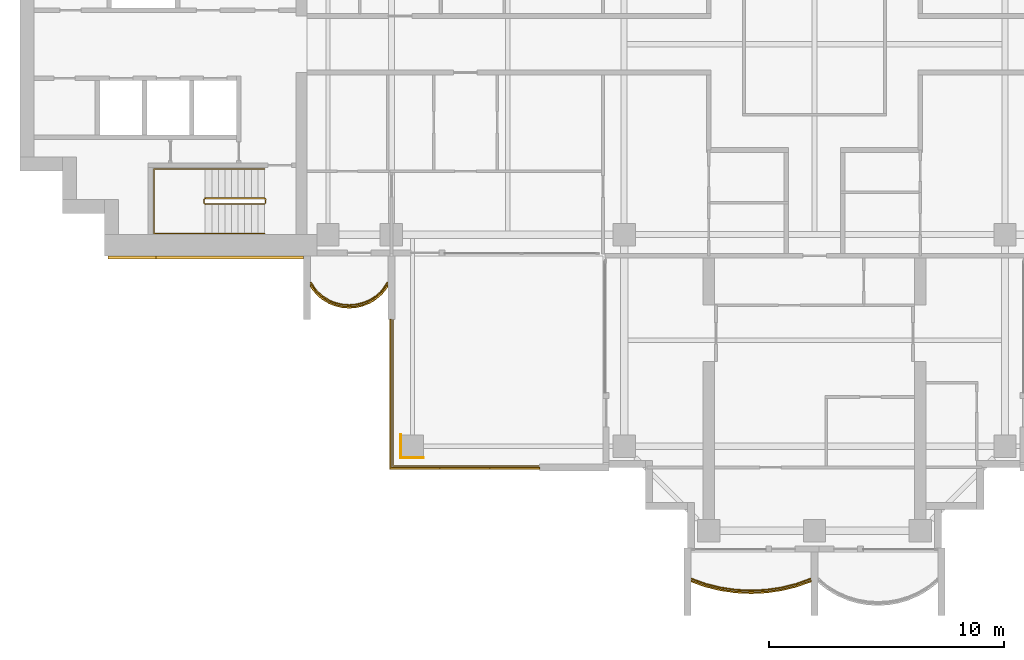
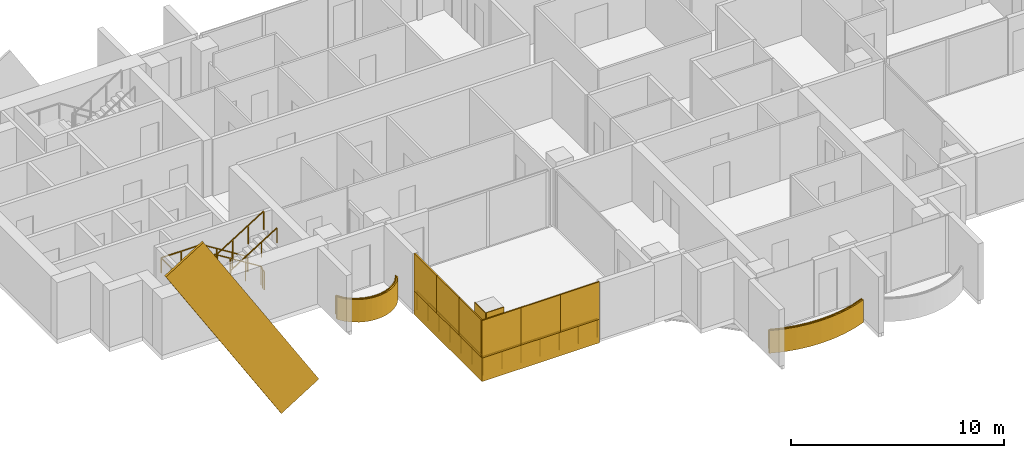
# One storey, part 17 of 20: 12 coverings, 5 railings.
"""IFC4 building model written with IfcOpenShell, lengths in metres."""

import ifcopenshell
import ifcopenshell.guid

model = None  # the IFC model being written
_history = None  # IfcOwnerHistory: only IFC2X3 demands one
_inside = {}  # id of a spatial element -> (the spatial element, [elements in it])
_under = {}  # id of a project, library or spatial element -> (it, [spatial elements below it])
_declared = {}  # id of a project -> (the project, [libraries it declares])
_typed = {}  # id of a type object -> (the type object, [elements of that type])
_made_of = {}  # id of a material, layer set ... -> (it, [elements and type objects made of it])


def new_model(schema):
    """Start an empty IFC model of exactly this schema.

    Asked for "IFC4X3", IfcOpenShell would pick the latest addendum, in which some entities
    have other attributes; the version numbers below select the first issue.
    IFC2X3 requires an IfcOwnerHistory on every rooted entity: one is made here for all.
    """
    global model, _history
    if schema == "IFC4X3":
        model = ifcopenshell.file(schema_version=(4, 3, 0, 0))
    else:
        model = ifcopenshell.file(schema=schema)
    _inside.clear()
    _under.clear()
    _declared.clear()
    _typed.clear()
    _made_of.clear()
    _history = None
    if model.schema == "IFC2X3":
        org = make("IfcOrganization", Name="unknown")
        user = make(
            "IfcPersonAndOrganization",
            ThePerson=make("IfcPerson", FamilyName="unknown"),
            TheOrganization=org,
        )
        app = make(
            "IfcApplication",
            ApplicationDeveloper=org,
            Version="unknown",
            ApplicationFullName="unknown",
            ApplicationIdentifier="unknown",
        )
        _history = make(
            "IfcOwnerHistory",
            OwningUser=user,
            OwningApplication=app,
            ChangeAction="ADDED",
            CreationDate=0,
        )
    return model


def make(cls, **values):
    """One entity of the class cls with the attributes given. An attribute that is None is left unset."""
    return model.create_entity(
        cls, **{name: value for name, value in values.items() if value is not None}
    )


def rooted(cls, **values):
    """An entity with a GlobalId (a new one), such as an element, a storey or a relation."""
    return make(cls, GlobalId=ifcopenshell.guid.new(), OwnerHistory=_history, **values)


def si_unit(unit_type, name, prefix=None):
    """IfcSIUnit, for example si_unit("LENGTHUNIT", "METRE", prefix="MILLI")."""
    return make("IfcSIUnit", UnitType=unit_type, Prefix=prefix, Name=name)


def assignment(units):
    """IfcUnitAssignment: the units of a project."""
    return None if units is None else make("IfcUnitAssignment", Units=units)


def point(xyz):
    """IfcCartesianPoint."""
    return None if xyz is None else make("IfcCartesianPoint", Coordinates=xyz)


def direction(xyz):
    """IfcDirection."""
    return None if xyz is None else make("IfcDirection", DirectionRatios=xyz)


def frame(location, z_axis=None, x_axis=None):
    """IfcAxis2Placement3D, a coordinate frame: its origin and axes. An axis left out is left unset."""
    return make(
        "IfcAxis2Placement3D",
        Location=point(location),
        Axis=direction(z_axis),
        RefDirection=direction(x_axis),
    )


def frame_2d(location, x_axis=None):
    """IfcAxis2Placement2D, a coordinate frame in the plane: its origin and x axis."""
    return make(
        "IfcAxis2Placement2D", Location=point(location), RefDirection=direction(x_axis)
    )


def origin():
    """The frame at (0, 0, 0) with its axes left unset."""
    return frame((0.0, 0.0, 0.0))


def origin_2d():
    """The frame at (0, 0) in the plane with its x axis left unset."""
    return frame_2d((0.0, 0.0))


def place(relative_to, where):
    """IfcLocalPlacement: puts the frame where relative to a parent placement (None: the world)."""
    return make(
        "IfcLocalPlacement", PlacementRelTo=relative_to, RelativePlacement=where
    )


def context(
    kind, dimensions, precision=None, world=None, true_north=None, identifier=None
):
    """IfcGeometricRepresentationContext, for example the 3D "Model" context."""
    return make(
        "IfcGeometricRepresentationContext",
        ContextIdentifier=identifier,
        ContextType=kind,
        CoordinateSpaceDimension=dimensions,
        Precision=precision,
        WorldCoordinateSystem=world,
        TrueNorth=true_north,
    )


def subcontext(parent, identifier, kind, view, scale=None):
    """IfcGeometricRepresentationSubContext, for example "Body" below "Model"."""
    return make(
        "IfcGeometricRepresentationSubContext",
        ContextIdentifier=identifier,
        ContextType=kind,
        ParentContext=parent,
        TargetScale=scale,
        TargetView=view,
    )


def project(units=None, contexts=None):
    """IfcProject with its units and contexts."""
    return rooted(
        "IfcProject",
        Name="project",
        RepresentationContexts=contexts,
        UnitsInContext=assignment(units),
    )


def spatial(cls, under=None, at=None, **own):
    """A site, building, storey or space (cls), placed at a placement, below another one or the project."""
    s = rooted(cls, ObjectPlacement=at, **own)
    if under is not None:
        _under.setdefault(under.id(), (under, []))[1].append(s)
    return s


def polyline(points):
    """IfcPolyline through the points."""
    return make("IfcPolyline", Points=[point(p) for p in points])


def profile(cls, at=None, kind="AREA", **sizes):
    """A parametric profile (cls). Its sizes go by their IFC names, for example OverallWidth=200.0."""
    return make(cls, ProfileType=kind, Position=at, **sizes)


def rectangle(**sizes):
    """IfcRectangleProfileDef."""
    return profile("IfcRectangleProfileDef", **sizes)


def outline(outer, holes=None, kind="AREA"):
    """IfcArbitraryClosedProfileDef: a profile drawn as a closed curve; with holes, ...WithVoids."""
    if holes is None:
        return make("IfcArbitraryClosedProfileDef", ProfileType=kind, OuterCurve=outer)
    return make(
        "IfcArbitraryProfileDefWithVoids",
        ProfileType=kind,
        OuterCurve=outer,
        InnerCurves=holes,
    )


def extrude(swept, where, along, depth):
    """IfcExtrudedAreaSolid: the profile swept, set in the frame where, extruded along a direction by depth."""
    return make(
        "IfcExtrudedAreaSolid",
        SweptArea=swept,
        Position=where,
        ExtrudedDirection=direction(along),
        Depth=depth,
    )


def shape(context_of_items, identifier, shape_type, items):
    """IfcShapeRepresentation: the items that make up one representation, for example the "Body"."""
    return make(
        "IfcShapeRepresentation",
        ContextOfItems=context_of_items,
        RepresentationIdentifier=identifier,
        RepresentationType=shape_type,
        Items=items,
    )


def material(Name=None, Category=None):
    """IfcMaterial."""
    return make("IfcMaterial", Name=Name, Category=Category)


def layer(
    of_material, thickness, ventilated=None, Name=None, Category=None, Priority=None
):
    """IfcMaterialLayer: one layer of a wall or slab, of a material (None: an air gap)."""
    return make(
        "IfcMaterialLayer",
        Material=of_material,
        LayerThickness=thickness,
        IsVentilated=ventilated,
        Name=Name,
        Category=Category,
        Priority=Priority,
    )


def layer_set(layers, Name=None):
    """IfcMaterialLayerSet."""
    return make("IfcMaterialLayerSet", MaterialLayers=layers, LayerSetName=Name)


def material_profile(
    of_material, cross_section, Name=None, Category=None, Priority=None
):
    """IfcMaterialProfile: a cross section and its material."""
    return make(
        "IfcMaterialProfile",
        Name=Name,
        Material=of_material,
        Profile=cross_section,
        Priority=Priority,
        Category=Category,
    )


def profile_set(profiles, Name=None, composite=None):
    """IfcMaterialProfileSet."""
    return make(
        "IfcMaterialProfileSet",
        Name=Name,
        MaterialProfiles=profiles,
        CompositeProfile=composite,
    )


def made_of(thing, what):
    """Note that an element or type object is made of a material, layer set ...; save() writes the relation."""
    if what is not None:
        _made_of.setdefault(what.id(), (what, []))[1].append(thing)
    return thing


def type_object(cls, material=None, **own):
    """A type object (cls), such as IfcWallType, which elements share."""
    return made_of(rooted(cls, **own), material)


def element(
    cls,
    number,
    at=None,
    inside=None,
    cuts=None,
    type_object=None,
    material=None,
    context=None,
    identifier="Body",
    shape_type=None,
    held_by="IfcProductDefinitionShape",
    body=None,
    shapes=None,
    **own,
):
    """One element of the class cls, such as IfcWall. Its Tag is "e" and its number.

    at: its placement. inside: the storey or other place that contains it. cuts: it is an
    opening in that element (IfcRelVoidsElement). A single representation is given by context,
    identifier, shape_type and body (its items); several are given by shapes. held_by: the class
    of the entity that holds the representations. save() writes the other relations.
    """
    e = rooted(cls, Tag="e%d" % number, ObjectPlacement=at, **own)
    if body is not None:
        shapes = [shape(context, identifier, shape_type, body)]
    if shapes is not None:
        e.Representation = make(held_by, Representations=shapes)
    if inside is not None:
        _inside.setdefault(inside.id(), (inside, []))[1].append(e)
    if cuts is not None:
        rooted(
            "IfcRelVoidsElement", RelatingBuildingElement=cuts, RelatedOpeningElement=e
        )
    if type_object is not None:
        _typed.setdefault(type_object.id(), (type_object, []))[1].append(e)
    return made_of(e, material)


def aggregate(whole, parts):
    """IfcRelAggregates: a whole, such as a stair, and the parts it consists of."""
    return rooted("IfcRelAggregates", RelatingObject=whole, RelatedObjects=parts)


def save(model, path):
    """Write the relations noted so far, then the file.

    IfcRelAggregates (storeys below a building ...), IfcRelContainedInSpatialStructure (elements
    in a storey), IfcRelDefinesByType, IfcRelAssociatesMaterial and IfcRelDeclares: one each for
    every whole, place, type object, material and project.
    """
    for whole, parts in _under.values():
        aggregate(whole, parts)
    for where, things in _inside.values():
        rooted(
            "IfcRelContainedInSpatialStructure",
            RelatedElements=things,
            RelatingStructure=where,
        )
    for kind, things in _typed.values():
        rooted("IfcRelDefinesByType", RelatedObjects=things, RelatingType=kind)
    for what, things in _made_of.values():
        rooted("IfcRelAssociatesMaterial", RelatedObjects=things, RelatingMaterial=what)
    for by, libraries in _declared.values():
        rooted("IfcRelDeclares", RelatingContext=by, RelatedDefinitions=libraries)
    model.write(path)


model = new_model("IFC4")

# Units and contexts
model_context = context("Model", 3, precision=1e-05, world=origin(), true_north=direction((0.0, 1.0)))
body_context = subcontext(model_context, "Body", "Model", "MODEL_VIEW")
ifc_project = project(units=[si_unit("LENGTHUNIT", "METRE"), si_unit("AREAUNIT", "SQUARE_METRE"), si_unit("VOLUMEUNIT", "CUBIC_METRE"), si_unit("PLANEANGLEUNIT", "RADIAN"), si_unit("MASSUNIT", "GRAM", prefix="KILO")], contexts=[model_context])

# Site, building, storey
site_placement = place(None, origin())
site = spatial("IfcSite", under=ifc_project, at=site_placement, CompositionType="ELEMENT")
building_placement = place(site_placement, origin())
building = spatial("IfcBuilding", under=site, at=building_placement, Name="Perihelion Cross Residences", CompositionType="ELEMENT")
storey_placement = place(building_placement, frame((0.0, 0.0, 170.10009765625)))
storey = spatial("IfcBuildingStorey", under=building, at=storey_placement, Name="L41", CompositionType="ELEMENT", Elevation=170.10009765625)

# Coverings
ifc_material_1 = material(Name="Bronze anodised aluminium", Category="aluminium")
ifc_layer_1 = layer(ifc_material_1, 0.070068359375)
ifc_layer_set_1 = layer_set([ifc_layer_1], Name="Balcony fascia 1300")
covering_type_1 = type_object("IfcCoveringType", Name="Balcony fascia 1300", PredefinedType="CLADDING", material=ifc_layer_set_1)
covering_1_placement = place(storey_placement, frame((0.0, 0.0, -0.2001953125)))
element("IfcCovering", 1, at=covering_1_placement, inside=storey, type_object=covering_type_1, Name="Fascia BF1 L41 west side south bay 1", PredefinedType="CLADDING", context=body_context, shape_type="SweptSolid", body=[
    extrude(outline(polyline([(-21.226318359375, -10.616455078125), (-20.94091796875, -10.86328125), (-20.655517578125, -11.031494140625), (-20.370361328125, -11.142578125), (-20.085205078125, -11.206298828125), (-19.800048828125, -11.22705078125), (-19.514892578125, -11.206298828125), (-19.229736328125, -11.142578125), (-18.9443359375, -11.031494140625), (-18.6591796875, -10.86328125), (-18.373779296875, -10.616455078125), (-18.14990234375, -10.31689453125), (-18.14990234375, -10.199951171875), (-18.425048828125, -10.568603515625), (-18.699951171875, -10.806396484375), (-18.97509765625, -10.96875), (-19.25, -11.07568359375), (-19.52490234375, -11.136962890625), (-19.800048828125, -11.156982421875), (-20.074951171875, -11.136962890625), (-20.35009765625, -11.07568359375), (-20.625, -10.96875), (-20.89990234375, -10.806396484375), (-21.175048828125, -10.568603515625), (-21.449951171875, -10.199951171875), (-21.449951171875, -10.31689453125), (-21.226318359375, -10.616455078125)])), origin(), (0.0, 0.0, 1.0), 1.300048828125),
])
covering_2_placement = place(storey_placement, frame((0.0, 0.0, -0.2001953125)))
element("IfcCovering", 2, at=covering_2_placement, inside=storey, type_object=covering_type_1, Name="Fascia BF1 L41 south tip south bay 1", PredefinedType="CLADDING", context=body_context, shape_type="SweptSolid", body=[
    extrude(outline(polyline([(-4.63232421875, -23.090576171875), (-3.98828125, -23.247314453125), (-3.34423828125, -23.339599609375), (-2.699951171875, -23.3701171875), (-2.055908203125, -23.339599609375), (-1.411865234375, -23.247314453125), (-0.767578125, -23.090576171875), (-0.14990234375, -22.874267578125), (-0.14990234375, -22.800048828125), (-0.78759765625, -23.0234375), (-1.425048828125, -23.178466796875), (-2.0625, -23.269775390625), (-2.699951171875, -23.300048828125), (-3.33740234375, -23.269775390625), (-3.97509765625, -23.178466796875), (-4.612548828125, -23.0234375), (-5.25, -22.800048828125), (-5.25, -22.874267578125), (-4.63232421875, -23.090576171875)])), origin(), (0.0, 0.0, 1.0), 1.300048828125),
])

# Railings
ifc_material_2 = material(Name="Bronze anodised aluminium", Category="aluminium")
railing_type_1 = type_object("IfcRailingType", Name="Balcony guard 1100", PredefinedType="GUARDRAIL", material=ifc_material_2)
railing_1_placement = place(storey_placement, frame((-21.425048828125, -10.139892578125, 0.0)))
element("IfcRailing", 3, at=railing_1_placement, inside=storey, type_object=railing_type_1, Name="Guard GU1 L41 west side south bay 1 balcony", PredefinedType="GUARDRAIL", context=body_context, shape_type="SweptSolid", body=[
    extrude(rectangle(XDim=0.048095703125, YDim=0.048095703125, at=origin_2d()), frame((0.0, 0.0, 1.076171875), z_axis=(0.561260132269, -0.827639452857, 0.0), x_axis=(0.827639452857, 0.561260132269, 0.0)), (0.0, 0.0, 1.0), 0.4453125),
    extrude(rectangle(XDim=0.048095703125, YDim=0.048095703125, at=origin_2d()), frame((0.25, -0.36865234375, 1.076171875), z_axis=(0.756596535164, -0.653882009982, 0.0), x_axis=(0.653882009982, 0.756596535164, 0.0)), (0.0, 0.0, 1.0), 0.36376953125),
    extrude(rectangle(XDim=0.048095703125, YDim=0.048095703125, at=origin_2d()), frame((0.525146484375, -0.6064453125, 1.076171875), z_axis=(0.861048292884, -0.508523192511, 0.0), x_axis=(0.508523192511, 0.861048292884, 0.0)), (0.0, 0.0, 1.0), 0.3193359375),
    extrude(rectangle(XDim=0.048095703125, YDim=0.048095703125, at=origin_2d()), frame((0.800048828125, -0.768798828125, 1.076171875), z_axis=(0.931973602183, -0.362526143656, 0.0), x_axis=(0.362526143656, 0.931973602183, 0.0)), (0.0, 0.0, 1.0), 0.294921875),
    extrude(rectangle(XDim=0.048095703125, YDim=0.048095703125, at=origin_2d()), frame((1.074951171875, -0.875732421875, 1.076171875), z_axis=(0.976085059389, -0.21738895289, 0.0), x_axis=(0.21738895289, 0.976085059389, 0.0)), (0.0, 0.0, 1.0), 0.281982421875),
    extrude(rectangle(XDim=0.048095703125, YDim=0.048095703125, at=origin_2d()), frame((1.35009765625, -0.93701171875, 1.076171875), z_axis=(0.997358821833, -0.072631814734, 0.0), x_axis=(0.072631814734, 0.997358821833, 0.0)), (0.0, 0.0, 1.0), 0.275634765625),
    extrude(rectangle(XDim=0.048095703125, YDim=0.048095703125, at=origin_2d()), frame((1.625, -0.95703125, 1.076171875), z_axis=(0.997363488337, 0.072567707226, 0.0), x_axis=(-0.072567707226, 0.997363488337, 0.0)), (0.0, 0.0, 1.0), 0.27587890625),
    extrude(rectangle(XDim=0.048095703125, YDim=0.048095703125, at=origin_2d()), frame((1.900146484375, -0.93701171875, 1.076171875), z_axis=(0.976044077717, 0.217572880557, 0.0), x_axis=(-0.217572880557, 0.976044077717, 0.0)), (0.0, 0.0, 1.0), 0.28173828125),
    extrude(rectangle(XDim=0.048095703125, YDim=0.048095703125, at=origin_2d()), frame((2.175048828125, -0.875732421875, 1.076171875), z_axis=(0.931973602183, 0.362526143656, 0.0), x_axis=(-0.362526143656, 0.931973602183, 0.0)), (0.0, 0.0, 1.0), 0.294921875),
    extrude(rectangle(XDim=0.048095703125, YDim=0.048095703125, at=origin_2d()), frame((2.449951171875, -0.768798828125, 1.076171875), z_axis=(0.861245845072, 0.508188542123, 0.0), x_axis=(-0.508188542123, 0.861245845072, 0.0)), (0.0, 0.0, 1.0), 0.319580078125),
    extrude(rectangle(XDim=0.048095703125, YDim=0.048095703125, at=origin_2d()), frame((2.72509765625, -0.6064453125, 1.076171875), z_axis=(0.756309278473, 0.654214242658, 0.0), x_axis=(-0.654214242658, 0.756309278473, 0.0)), (0.0, 0.0, 1.0), 0.363525390625),
    extrude(rectangle(XDim=0.048095703125, YDim=0.048095703125, at=origin_2d()), frame((3.0, -0.36865234375, 1.076171875), z_axis=(0.561260132269, 0.827639452857, 0.0), x_axis=(-0.827639452857, 0.561260132269, 0.0)), (0.0, 0.0, 1.0), 0.4453125),
    extrude(rectangle(XDim=0.0419921875, YDim=0.0419921875, at=origin_2d()), origin(), (0.0, 0.0, 1.0), 1.052001953125),
    extrude(rectangle(XDim=0.0419921875, YDim=0.0419921875, at=origin_2d()), frame((0.25, -0.36865234375, 0.0)), (0.0, 0.0, 1.0), 1.052001953125),
    extrude(rectangle(XDim=0.0419921875, YDim=0.0419921875, at=origin_2d()), frame((0.525146484375, -0.6064453125, 0.0)), (0.0, 0.0, 1.0), 1.052001953125),
    extrude(rectangle(XDim=0.0419921875, YDim=0.0419921875, at=origin_2d()), frame((0.800048828125, -0.768798828125, 0.0)), (0.0, 0.0, 1.0), 1.052001953125),
    extrude(rectangle(XDim=0.0419921875, YDim=0.0419921875, at=origin_2d()), frame((1.074951171875, -0.875732421875, 0.0)), (0.0, 0.0, 1.0), 1.052001953125),
    extrude(rectangle(XDim=0.0419921875, YDim=0.0419921875, at=origin_2d()), frame((1.35009765625, -0.93701171875, 0.0)), (0.0, 0.0, 1.0), 1.052001953125),
    extrude(rectangle(XDim=0.0419921875, YDim=0.0419921875, at=origin_2d()), frame((1.625, -0.95703125, 0.0)), (0.0, 0.0, 1.0), 1.052001953125),
    extrude(rectangle(XDim=0.0419921875, YDim=0.0419921875, at=origin_2d()), frame((1.900146484375, -0.93701171875, 0.0)), (0.0, 0.0, 1.0), 1.052001953125),
    extrude(rectangle(XDim=0.0419921875, YDim=0.0419921875, at=origin_2d()), frame((2.175048828125, -0.875732421875, 0.0)), (0.0, 0.0, 1.0), 1.052001953125),
    extrude(rectangle(XDim=0.0419921875, YDim=0.0419921875, at=origin_2d()), frame((2.449951171875, -0.768798828125, 0.0)), (0.0, 0.0, 1.0), 1.052001953125),
    extrude(rectangle(XDim=0.0419921875, YDim=0.0419921875, at=origin_2d()), frame((2.72509765625, -0.6064453125, 0.0)), (0.0, 0.0, 1.0), 1.052001953125),
    extrude(rectangle(XDim=0.0419921875, YDim=0.0419921875, at=origin_2d()), frame((3.0, -0.36865234375, 0.0)), (0.0, 0.0, 1.0), 1.052001953125),
    extrude(rectangle(XDim=0.0419921875, YDim=0.0419921875, at=origin_2d()), frame((3.25, 0.0, 0.0)), (0.0, 0.0, 1.0), 1.052001953125),
])
railing_2_placement = place(storey_placement, frame((-5.22509765625, -22.739990234375, 0.0)))
element("IfcRailing", 4, at=railing_2_placement, inside=storey, type_object=railing_type_1, Name="Guard GU1 L41 south tip south bay 1 balcony", PredefinedType="GUARDRAIL", context=body_context, shape_type="SweptSolid", body=[
    extrude(rectangle(XDim=0.048095703125, YDim=0.048095703125, at=origin_2d()), frame((0.0, 0.0, 1.076171875), z_axis=(0.939355405384, -0.342945217749, 0.0), x_axis=(0.342945217749, 0.939355405384, 0.0)), (0.0, 0.0, 1.0), 0.652099609375),
    extrude(rectangle(XDim=0.048095703125, YDim=0.048095703125, at=origin_2d()), frame((0.612548828125, -0.2236328125, 1.076171875), z_axis=(0.971676841941, -0.236313594268, 0.0), x_axis=(0.236313594268, 0.971676841941, 0.0)), (0.0, 0.0, 1.0), 0.656005859375),
    extrude(rectangle(XDim=0.048095703125, YDim=0.048095703125, at=origin_2d()), frame((1.25, -0.378662109375, 1.076171875), z_axis=(0.989903964498, -0.141739694763, 0.0), x_axis=(0.141739694763, 0.989903964498, 0.0)), (0.0, 0.0, 1.0), 0.644287109375),
    extrude(rectangle(XDim=0.048095703125, YDim=0.048095703125, at=origin_2d()), frame((1.8876953125, -0.469970703125, 1.076171875), z_axis=(0.998892243319, -0.04705620296, 0.0), x_axis=(0.04705620296, 0.998892243319, 0.0)), (0.0, 0.0, 1.0), 0.63818359375),
    extrude(rectangle(XDim=0.048095703125, YDim=0.048095703125, at=origin_2d()), frame((2.525146484375, -0.5, 1.076171875), z_axis=(0.998892243319, 0.04705620296, 0.0), x_axis=(-0.04705620296, 0.998892243319, 0.0)), (0.0, 0.0, 1.0), 0.63818359375),
    extrude(rectangle(XDim=0.048095703125, YDim=0.048095703125, at=origin_2d()), frame((3.16259765625, -0.469970703125, 1.076171875), z_axis=(0.989896346386, 0.141792889142, 0.0), x_axis=(-0.141792889142, 0.989896346386, 0.0)), (0.0, 0.0, 1.0), 0.64404296875),
    extrude(rectangle(XDim=0.048095703125, YDim=0.048095703125, at=origin_2d()), frame((3.800048828125, -0.378662109375, 1.076171875), z_axis=(0.971676841941, 0.236313594268, 0.0), x_axis=(-0.236313594268, 0.971676841941, 0.0)), (0.0, 0.0, 1.0), 0.656005859375),
    extrude(rectangle(XDim=0.048095703125, YDim=0.048095703125, at=origin_2d()), frame((4.4375, -0.2236328125, 1.076171875), z_axis=(0.939355405384, 0.342945217749, 0.0), x_axis=(-0.342945217749, 0.939355405384, 0.0)), (0.0, 0.0, 1.0), 0.652099609375),
    extrude(rectangle(XDim=0.0419921875, YDim=0.0419921875, at=origin_2d()), origin(), (0.0, 0.0, 1.0), 1.052001953125),
    extrude(rectangle(XDim=0.0419921875, YDim=0.0419921875, at=origin_2d()), frame((0.612548828125, -0.2236328125, 0.0)), (0.0, 0.0, 1.0), 1.052001953125),
    extrude(rectangle(XDim=0.0419921875, YDim=0.0419921875, at=origin_2d()), frame((1.25, -0.378662109375, 0.0)), (0.0, 0.0, 1.0), 1.052001953125),
    extrude(rectangle(XDim=0.0419921875, YDim=0.0419921875, at=origin_2d()), frame((1.8876953125, -0.469970703125, 0.0)), (0.0, 0.0, 1.0), 1.052001953125),
    extrude(rectangle(XDim=0.0419921875, YDim=0.0419921875, at=origin_2d()), frame((2.525146484375, -0.5, 0.0)), (0.0, 0.0, 1.0), 1.052001953125),
    extrude(rectangle(XDim=0.0419921875, YDim=0.0419921875, at=origin_2d()), frame((3.16259765625, -0.469970703125, 0.0)), (0.0, 0.0, 1.0), 1.052001953125),
    extrude(rectangle(XDim=0.0419921875, YDim=0.0419921875, at=origin_2d()), frame((3.800048828125, -0.378662109375, 0.0)), (0.0, 0.0, 1.0), 1.052001953125),
    extrude(rectangle(XDim=0.0419921875, YDim=0.0419921875, at=origin_2d()), frame((4.4375, -0.2236328125, 0.0)), (0.0, 0.0, 1.0), 1.052001953125),
    extrude(rectangle(XDim=0.0419921875, YDim=0.0419921875, at=origin_2d()), frame((5.050048828125, 0.0, 0.0)), (0.0, 0.0, 1.0), 1.052001953125),
])
railing_3_placement = place(storey_placement, frame((-11.739990234375, -17.93994140625, 0.0)))
element("IfcRailing", 5, at=railing_3_placement, inside=storey, type_object=railing_type_1, Name="Guard GU1 L41 pocket south-west 1", PredefinedType="GUARDRAIL", context=body_context, shape_type="SweptSolid", body=[
    extrude(rectangle(XDim=0.048095703125, YDim=0.048095703125, at=origin_2d()), frame((0.0, 0.0, 1.076171875), z_axis=(-1.0, 0.0, 0.0), x_axis=(0.0, -1.0, 0.0)), (0.0, 0.0, 1.0), 6.199951171875),
    extrude(rectangle(XDim=0.048095703125, YDim=0.048095703125, at=origin_2d()), frame((-6.199951171875, 0.0, 1.076171875), z_axis=(0.0, 1.0, 0.0), x_axis=(-1.0, 0.0, 0.0)), (0.0, 0.0, 1.0), 6.199951171875),
    extrude(rectangle(XDim=0.0419921875, YDim=0.0419921875, at=origin_2d()), origin(), (0.0, 0.0, 1.0), 1.052001953125),
    extrude(rectangle(XDim=0.0419921875, YDim=0.0419921875, at=origin_2d()), frame((-1.033203125, 0.0, 0.0)), (0.0, 0.0, 1.0), 1.052001953125),
    extrude(rectangle(XDim=0.0419921875, YDim=0.0419921875, at=origin_2d()), frame((-2.066650390625, 0.0, 0.0)), (0.0, 0.0, 1.0), 1.052001953125),
    extrude(rectangle(XDim=0.0419921875, YDim=0.0419921875, at=origin_2d()), frame((-3.10009765625, 0.0, 0.0)), (0.0, 0.0, 1.0), 1.052001953125),
    extrude(rectangle(XDim=0.0419921875, YDim=0.0419921875, at=origin_2d()), frame((-4.13330078125, 0.0, 0.0)), (0.0, 0.0, 1.0), 1.052001953125),
    extrude(rectangle(XDim=0.0419921875, YDim=0.0419921875, at=origin_2d()), frame((-5.16650390625, 0.0, 0.0)), (0.0, 0.0, 1.0), 1.052001953125),
    extrude(rectangle(XDim=0.0419921875, YDim=0.0419921875, at=origin_2d()), frame((-6.199951171875, 0.0, 0.0)), (0.0, 0.0, 1.0), 1.052001953125),
    extrude(rectangle(XDim=0.0419921875, YDim=0.0419921875, at=origin_2d()), frame((-6.199951171875, 1.033203125, 0.0)), (0.0, 0.0, 1.0), 1.052001953125),
    extrude(rectangle(XDim=0.0419921875, YDim=0.0419921875, at=origin_2d()), frame((-6.199951171875, 2.066650390625, 0.0)), (0.0, 0.0, 1.0), 1.052001953125),
    extrude(rectangle(XDim=0.0419921875, YDim=0.0419921875, at=origin_2d()), frame((-6.199951171875, 3.10009765625, 0.0)), (0.0, 0.0, 1.0), 1.052001953125),
    extrude(rectangle(XDim=0.0419921875, YDim=0.0419921875, at=origin_2d()), frame((-6.199951171875, 4.13330078125, 0.0)), (0.0, 0.0, 1.0), 1.052001953125),
    extrude(rectangle(XDim=0.0419921875, YDim=0.0419921875, at=origin_2d()), frame((-6.199951171875, 5.16650390625, 0.0)), (0.0, 0.0, 1.0), 1.052001953125),
    extrude(rectangle(XDim=0.0419921875, YDim=0.0419921875, at=origin_2d()), frame((-6.199951171875, 6.199951171875, 0.0)), (0.0, 0.0, 1.0), 1.052001953125),
])

# Coverings
ifc_material_3 = material(Name="Bronze anodised aluminium", Category="aluminium")
ifc_material_profile = material_profile(ifc_material_3, rectangle(XDim=0.125, YDim=2.39990234375, at=origin_2d()), Name="Bronze cladding band 2400")
ifc_profile_set = profile_set([ifc_material_profile], Name="Bronze anodised aluminium")
covering_type_2 = type_object("IfcCoveringType", Name="Bronze cladding band 2400", PredefinedType="CLADDING", material=ifc_profile_set)
covering_3_placement = place(storey_placement, frame((-22.767578125, -9.0625, -4.863525390625), z_axis=(-0.529915403603, 0.0, 0.848050508534), x_axis=(0.0, -1.0, 0.0)))
element("IfcCovering", 6, at=covering_3_placement, inside=storey, type_object=covering_type_2, Name="Core cladding band, west core", PredefinedType="CLADDING", context=body_context, shape_type="SweptSolid", body=[
    extrude(rectangle(XDim=0.125, YDim=2.39990234375, at=origin_2d()), origin(), (0.0, 0.0, 1.0), 11.822021484375),
])
ifc_material_4 = material(Name="Bronze anodised aluminium", Category="aluminium")
ifc_layer_2 = layer(ifc_material_4, 0.0400390625)
ifc_layer_set_2 = layer_set([ifc_layer_2], Name="Bronze column casing 40")
covering_type_3 = type_object("IfcCoveringType", Name="Bronze column casing 40", PredefinedType="CLADDING", material=ifc_layer_set_2)
covering_4_placement = place(storey_placement, frame((-17.594970703125, -17.10009765625, -0.25), z_axis=(0.0, 0.0, 1.0), x_axis=(1.0, 0.0, 0.0)))
element("IfcCovering", 7, at=covering_4_placement, inside=storey, type_object=covering_type_3, Name="Cladding CC1 L41 casing east-west no. 1", PredefinedType="CLADDING", context=body_context, shape_type="SweptSolid", body=[
    extrude(rectangle(XDim=0.0400390625, YDim=1.030029296875, at=origin_2d()), origin(), (0.0, 0.0, 1.0), 3.5),
])
covering_5_placement = place(storey_placement, frame((-17.10009765625, -17.594970703125, -0.25), z_axis=(0.0, 0.0, 1.0), x_axis=(1.0, 0.0, 0.0)))
element("IfcCovering", 8, at=covering_5_placement, inside=storey, type_object=covering_type_3, Name="Cladding CC1 L41 casing north-south no. 1", PredefinedType="CLADDING", context=body_context, shape_type="SweptSolid", body=[
    extrude(rectangle(XDim=0.949951171875, YDim=0.0400390625, at=origin_2d()), origin(), (0.0, 0.0, 1.0), 3.5),
])
ifc_material_5 = material(Name="Bronze anodised aluminium", Category="aluminium")
ifc_layer_3 = layer(ifc_material_5, 0.070068359375)
ifc_layer_set_3 = layer_set([ifc_layer_3], Name="Pocket fascia 1350")
covering_type_4 = type_object("IfcCoveringType", Name="Pocket fascia 1350", PredefinedType="CLADDING", material=ifc_layer_set_3)
covering_6_placement = place(storey_placement, frame((0.0, 0.0, -0.25)))
element("IfcCovering", 9, at=covering_6_placement, inside=storey, type_object=covering_type_4, Name="Fascia BF2 L41 pocket south-west 1", PredefinedType="CLADDING", context=body_context, shape_type="SweptSolid", body=[
    extrude(outline(polyline([(-18.070068359375, -11.699951171875), (-18.070068359375, -18.070068359375), (-11.699951171875, -18.070068359375), (-11.699951171875, -18.0), (-18.0, -18.0), (-18.0, -11.699951171875), (-18.070068359375, -11.699951171875)])), origin(), (0.0, 0.0, 1.0), 1.349853515625),
])
ifc_material_6 = material(Name="Bronze perforated aluminium", Category="aluminium")
ifc_layer_4 = layer(ifc_material_6, 0.070068359375)
ifc_layer_set_4 = layer_set([ifc_layer_4], Name="Pocket solar screen, bronze perforated")
covering_type_5 = type_object("IfcCoveringType", Name="Pocket solar screen, bronze perforated", PredefinedType="CLADDING", material=ifc_layer_set_4)
covering_7_placement = place(storey_placement, frame((0.0, 0.0, 1.099853515625)))
element("IfcCovering", 10, at=covering_7_placement, inside=storey, type_object=covering_type_5, Name="Solar screen PS1 L41 pocket south-west no. 1", PredefinedType="CLADDING", context=body_context, shape_type="SweptSolid", body=[
    extrude(outline(polyline([(-18.0, -18.0), (-18.0, -15.89990234375), (-18.070068359375, -15.89990234375), (-18.070068359375, -18.0), (-18.0, -18.0)])), origin(), (0.0, 0.0, 1.0), 2.150146484375),
])
covering_8_placement = place(storey_placement, frame((0.0, 0.0, 1.099853515625)))
element("IfcCovering", 11, at=covering_8_placement, inside=storey, type_object=covering_type_5, Name="Solar screen PS1 L41 pocket south-west no. 2", PredefinedType="CLADDING", context=body_context, shape_type="SweptSolid", body=[
    extrude(outline(polyline([(-18.0, -15.89990234375), (-18.0, -13.800048828125), (-18.070068359375, -13.800048828125), (-18.070068359375, -15.89990234375), (-18.0, -15.89990234375)])), origin(), (0.0, 0.0, 1.0), 2.150146484375),
])
covering_9_placement = place(storey_placement, frame((0.0, 0.0, 1.099853515625)))
element("IfcCovering", 12, at=covering_9_placement, inside=storey, type_object=covering_type_5, Name="Solar screen PS1 L41 pocket south-west no. 3", PredefinedType="CLADDING", context=body_context, shape_type="SweptSolid", body=[
    extrude(outline(polyline([(-18.0, -13.800048828125), (-18.0, -11.699951171875), (-18.070068359375, -11.699951171875), (-18.070068359375, -13.800048828125), (-18.0, -13.800048828125)])), origin(), (0.0, 0.0, 1.0), 2.150146484375),
])
covering_10_placement = place(storey_placement, frame((0.0, 0.0, 1.099853515625)))
element("IfcCovering", 13, at=covering_10_placement, inside=storey, type_object=covering_type_5, Name="Solar screen PS1 L41 pocket south-west no. 4", PredefinedType="CLADDING", context=body_context, shape_type="SweptSolid", body=[
    extrude(outline(polyline([(-15.94677734375, -18.070068359375), (-15.94677734375, -18.0), (-18.070068359375, -18.0), (-18.070068359375, -18.070068359375), (-15.94677734375, -18.070068359375)])), origin(), (0.0, 0.0, 1.0), 2.150146484375),
])
covering_11_placement = place(storey_placement, frame((0.0, 0.0, 1.099853515625)))
element("IfcCovering", 14, at=covering_11_placement, inside=storey, type_object=covering_type_5, Name="Solar screen PS1 L41 pocket south-west no. 5", PredefinedType="CLADDING", context=body_context, shape_type="SweptSolid", body=[
    extrude(outline(polyline([(-13.8232421875, -18.070068359375), (-13.8232421875, -18.0), (-15.94677734375, -18.0), (-15.94677734375, -18.070068359375), (-13.8232421875, -18.070068359375)])), origin(), (0.0, 0.0, 1.0), 2.150146484375),
])
covering_12_placement = place(storey_placement, frame((0.0, 0.0, 1.099853515625)))
element("IfcCovering", 15, at=covering_12_placement, inside=storey, type_object=covering_type_5, Name="Solar screen PS1 L41 pocket south-west no. 6", PredefinedType="CLADDING", context=body_context, shape_type="SweptSolid", body=[
    extrude(outline(polyline([(-11.699951171875, -18.070068359375), (-11.699951171875, -18.0), (-13.8232421875, -18.0), (-13.8232421875, -18.070068359375), (-11.699951171875, -18.070068359375)])), origin(), (0.0, 0.0, 1.0), 2.150146484375),
])

# Railings
ifc_material_7 = material(Name="Stainless steel", Category="steel")
railing_type_2 = type_object("IfcRailingType", Name="Stair guard 1100", PredefinedType="GUARDRAIL", material=ifc_material_7)
railing_4_placement = place(storey_placement, frame((-23.35009765625, -6.75, 0.0)))
element("IfcRailing", 16, at=railing_4_placement, inside=storey, type_object=railing_type_2, Name="L41 ST-W2 stair guard 1", PredefinedType="GUARDRAIL", context=body_context, shape_type="SweptSolid", body=[
    extrude(rectangle(XDim=0.048095703125, YDim=0.048095703125, at=origin_2d()), frame((0.0, 0.0, 1.076171875), z_axis=(0.0, 1.0, 0.0), x_axis=(-1.0, 0.0, 0.0)), (0.0, 0.0, 1.0), 0.14990234375),
    extrude(rectangle(XDim=0.048095703125, YDim=0.048095703125, at=origin_2d()), frame((0.0, 0.14990234375, 1.076171875), z_axis=(-0.264179342666, 0.265474339444, 0.927217692888), x_axis=(-0.708833529934, -0.705375805398, 0.0)), (0.0, 0.0, 1.0), 0.1884765625),
    extrude(rectangle(XDim=0.048095703125, YDim=0.048095703125, at=origin_2d()), frame((-0.0498046875, 0.199951171875, 1.2509765625), z_axis=(-0.847970611238, 0.0, 0.530043245855), x_axis=(0.0, -1.0, 0.0)), (0.0, 0.0, 1.0), 2.971923828125),
    extrude(rectangle(XDim=0.048095703125, YDim=0.048095703125, at=origin_2d()), frame((-2.56982421875, 0.199951171875, 2.826171875), z_axis=(-0.707106781187, -0.707106781187, 0.0), x_axis=(0.707106781187, -0.707106781187, 0.0)), (0.0, 0.0, 1.0), 0.07080078125),
    extrude(rectangle(XDim=0.048095703125, YDim=0.048095703125, at=origin_2d()), frame((-2.619873046875, 0.14990234375, 2.826171875), z_axis=(0.0, -1.0, 0.0), x_axis=(1.0, 0.0, 0.0)), (0.0, 0.0, 1.0), 0.14990234375),
    extrude(rectangle(XDim=0.048095703125, YDim=0.048095703125, at=origin_2d()), frame((-2.619873046875, 0.0, 2.826171875), z_axis=(0.265383341853, -0.265383341853, 0.926899867156), x_axis=(0.707106781187, 0.707106781187, 0.0)), (0.0, 0.0, 1.0), 0.1884765625),
    extrude(rectangle(XDim=0.048095703125, YDim=0.048095703125, at=origin_2d()), frame((-2.56982421875, -0.050048828125, 3.0009765625), z_axis=(0.847970611238, 0.0, 0.530043245855), x_axis=(0.0, 1.0, 0.0)), (0.0, 0.0, 1.0), 2.971923828125),
    extrude(rectangle(XDim=0.0419921875, YDim=0.0419921875, at=origin_2d()), origin(), (0.0, 0.0, 1.0), 1.052001953125),
    extrude(rectangle(XDim=0.0419921875, YDim=0.0419921875, at=origin_2d()), frame((0.0, 0.14990234375, 0.0)), (0.0, 0.0, 1.0), 1.052001953125),
    extrude(rectangle(XDim=0.0419921875, YDim=0.0419921875, at=origin_2d()), frame((-0.0498046875, 0.199951171875, 0.1748046875)), (0.0, 0.0, 1.0), 1.052001953125),
    extrude(rectangle(XDim=0.0419921875, YDim=0.0419921875, at=origin_2d()), frame((-0.889892578125, 0.199951171875, 0.699951171875)), (0.0, 0.0, 1.0), 1.052001953125),
    extrude(rectangle(XDim=0.0419921875, YDim=0.0419921875, at=origin_2d()), frame((-1.729736328125, 0.199951171875, 1.224853515625)), (0.0, 0.0, 1.0), 1.052001953125),
    extrude(rectangle(XDim=0.0419921875, YDim=0.0419921875, at=origin_2d()), frame((-2.56982421875, 0.199951171875, 1.75)), (0.0, 0.0, 1.0), 1.052001953125),
    extrude(rectangle(XDim=0.0419921875, YDim=0.0419921875, at=origin_2d()), frame((-2.619873046875, 0.14990234375, 1.75)), (0.0, 0.0, 1.0), 1.052001953125),
    extrude(rectangle(XDim=0.0419921875, YDim=0.0419921875, at=origin_2d()), frame((-2.619873046875, 0.0, 1.75)), (0.0, 0.0, 1.0), 1.052001953125),
    extrude(rectangle(XDim=0.0419921875, YDim=0.0419921875, at=origin_2d()), frame((-2.56982421875, -0.050048828125, 1.9248046875)), (0.0, 0.0, 1.0), 1.052001953125),
    extrude(rectangle(XDim=0.0419921875, YDim=0.0419921875, at=origin_2d()), frame((-1.729736328125, -0.050048828125, 2.449951171875)), (0.0, 0.0, 1.0), 1.052001953125),
    extrude(rectangle(XDim=0.0419921875, YDim=0.0419921875, at=origin_2d()), frame((-0.889892578125, -0.050048828125, 2.974853515625)), (0.0, 0.0, 1.0), 1.052001953125),
    extrude(rectangle(XDim=0.0419921875, YDim=0.0419921875, at=origin_2d()), frame((-0.0498046875, -0.050048828125, 3.5)), (0.0, 0.0, 1.0), 1.052001953125),
])
ifc_material_8 = material(Name="Stainless steel", Category="steel")
railing_type_3 = type_object("IfcRailingType", Name="Stair handrail 900", PredefinedType="HANDRAIL", material=ifc_material_8)
railing_5_placement = place(storey_placement, frame((-23.39990234375, -5.300048828125, 0.1748046875)))
element("IfcRailing", 17, at=railing_5_placement, inside=storey, type_object=railing_type_3, Name="L41 ST-W2 stair handrail 1", PredefinedType="HANDRAIL", context=body_context, shape_type="SweptSolid", body=[
    extrude(rectangle(XDim=0.048095703125, YDim=0.048095703125, at=origin_2d()), frame((0.0, 0.0, 0.8759765625), z_axis=(-0.847970611238, 0.0, 0.530043245855), x_axis=(0.0, -1.0, 0.0)), (0.0, 0.0, 1.0), 2.971923828125),
    extrude(rectangle(XDim=0.048095703125, YDim=0.048095703125, at=origin_2d()), frame((-2.52001953125, 0.0, 2.451171875), z_axis=(-1.0, 0.0, 0.0), x_axis=(0.0, -1.0, 0.0)), (0.0, 0.0, 1.0), 2.18017578125),
    extrude(rectangle(XDim=0.048095703125, YDim=0.048095703125, at=origin_2d()), frame((-4.7001953125, 0.0, 2.451171875), z_axis=(0.0, -1.0, 0.0), x_axis=(1.0, 0.0, 0.0)), (0.0, 0.0, 1.0), 2.75),
    extrude(rectangle(XDim=0.048095703125, YDim=0.048095703125, at=origin_2d()), frame((-4.7001953125, -2.75, 2.451171875), z_axis=(1.0, 0.0, 0.0), x_axis=(0.0, 1.0, 0.0)), (0.0, 0.0, 1.0), 2.18017578125),
    extrude(rectangle(XDim=0.048095703125, YDim=0.048095703125, at=origin_2d()), frame((-2.52001953125, -2.75, 2.451171875), z_axis=(0.0, 0.0, 1.0), x_axis=(1.0, 0.0, 0.0)), (0.0, 0.0, 1.0), 0.1748046875),
    extrude(rectangle(XDim=0.048095703125, YDim=0.048095703125, at=origin_2d()), frame((-2.52001953125, -2.75, 2.6259765625), z_axis=(0.847970611238, 0.0, 0.530043245855), x_axis=(0.0, 1.0, 0.0)), (0.0, 0.0, 1.0), 2.971923828125),
    extrude(rectangle(XDim=0.0419921875, YDim=0.0419921875, at=origin_2d()), origin(), (0.0, 0.0, 1.0), 0.851806640625),
    extrude(rectangle(XDim=0.0419921875, YDim=0.0419921875, at=origin_2d()), frame((-0.840087890625, 0.0, 0.525146484375)), (0.0, 0.0, 1.0), 0.851806640625),
    extrude(rectangle(XDim=0.0419921875, YDim=0.0419921875, at=origin_2d()), frame((-1.679931640625, 0.0, 1.050048828125)), (0.0, 0.0, 1.0), 0.851806640625),
    extrude(rectangle(XDim=0.0419921875, YDim=0.0419921875, at=origin_2d()), frame((-2.52001953125, 0.0, 1.5751953125)), (0.0, 0.0, 1.0), 0.851806640625),
    extrude(rectangle(XDim=0.0419921875, YDim=0.0419921875, at=origin_2d()), frame((-3.610107421875, 0.0, 1.5751953125)), (0.0, 0.0, 1.0), 0.851806640625),
    extrude(rectangle(XDim=0.0419921875, YDim=0.0419921875, at=origin_2d()), frame((-4.7001953125, 0.0, 1.5751953125)), (0.0, 0.0, 1.0), 0.851806640625),
    extrude(rectangle(XDim=0.0419921875, YDim=0.0419921875, at=origin_2d()), frame((-4.7001953125, -0.916748046875, 1.5751953125)), (0.0, 0.0, 1.0), 0.851806640625),
    extrude(rectangle(XDim=0.0419921875, YDim=0.0419921875, at=origin_2d()), frame((-4.7001953125, -1.833251953125, 1.5751953125)), (0.0, 0.0, 1.0), 0.851806640625),
    extrude(rectangle(XDim=0.0419921875, YDim=0.0419921875, at=origin_2d()), frame((-4.7001953125, -2.75, 1.5751953125)), (0.0, 0.0, 1.0), 0.851806640625),
    extrude(rectangle(XDim=0.0419921875, YDim=0.0419921875, at=origin_2d()), frame((-3.610107421875, -2.75, 1.5751953125)), (0.0, 0.0, 1.0), 0.851806640625),
    extrude(rectangle(XDim=0.0419921875, YDim=0.0419921875, at=origin_2d()), frame((-2.52001953125, -2.75, 1.5751953125)), (0.0, 0.0, 1.0), 0.851806640625),
    extrude(rectangle(XDim=0.0419921875, YDim=0.0419921875, at=origin_2d()), frame((-2.52001953125, -2.75, 1.75)), (0.0, 0.0, 1.0), 0.851806640625),
    extrude(rectangle(XDim=0.0419921875, YDim=0.0419921875, at=origin_2d()), frame((-1.679931640625, -2.75, 2.275146484375)), (0.0, 0.0, 1.0), 0.851806640625),
    extrude(rectangle(XDim=0.0419921875, YDim=0.0419921875, at=origin_2d()), frame((-0.840087890625, -2.75, 2.800048828125)), (0.0, 0.0, 1.0), 0.851806640625),
    extrude(rectangle(XDim=0.0419921875, YDim=0.0419921875, at=origin_2d()), frame((0.0, -2.75, 3.3251953125)), (0.0, 0.0, 1.0), 0.851806640625),
])

save(model, "model.ifc")
